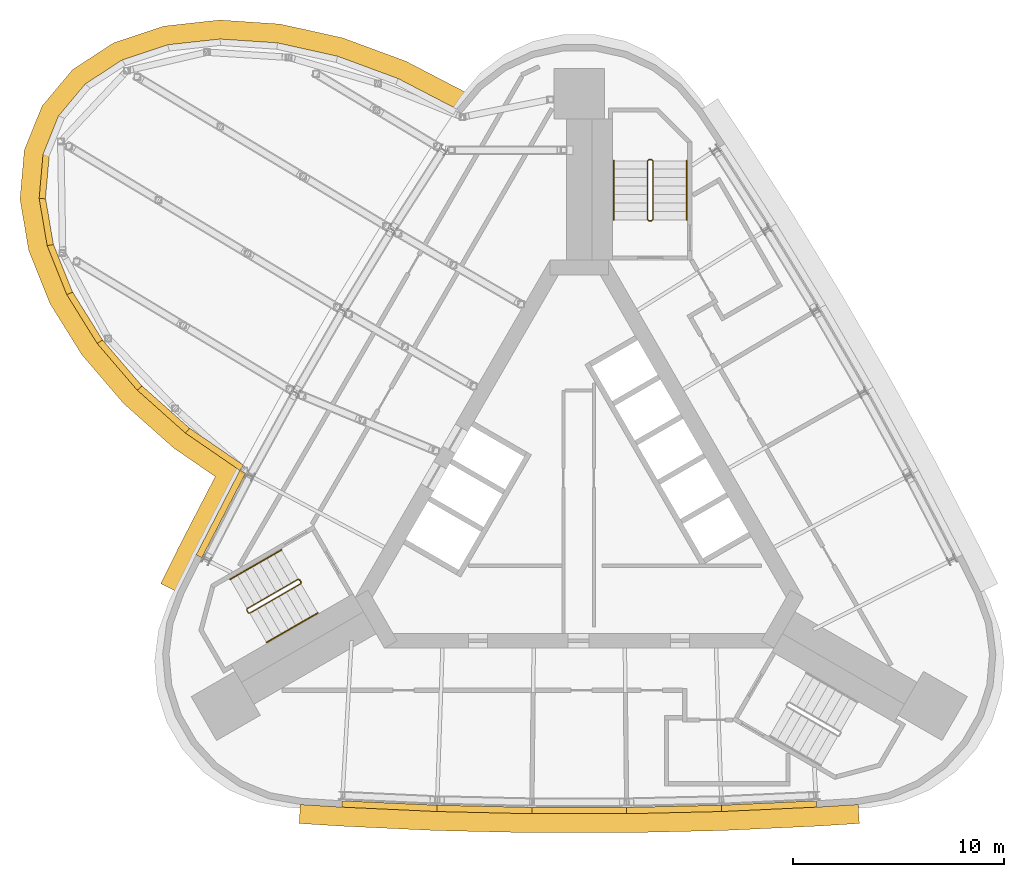
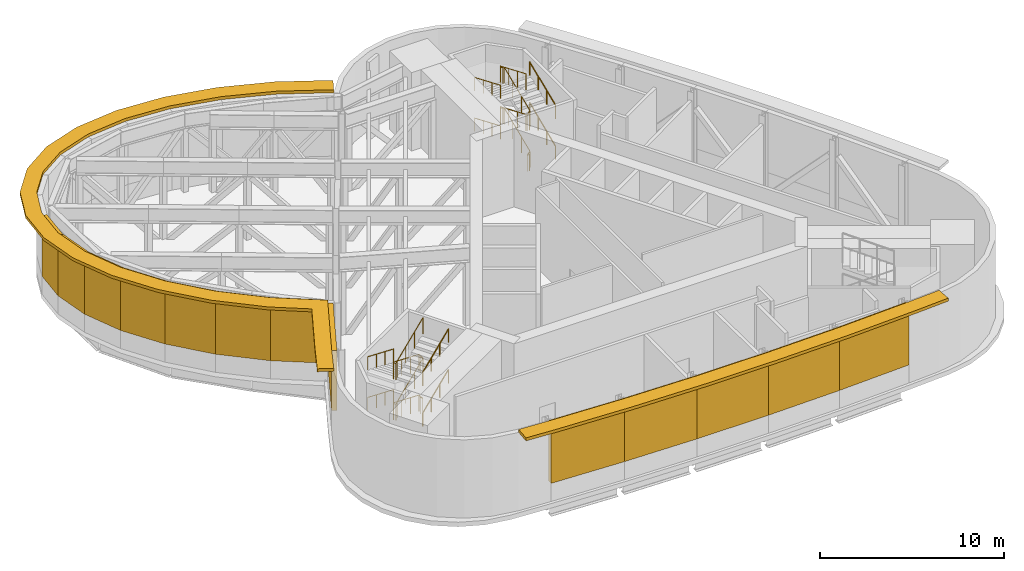
# One storey, part 10 of 11: 15 shading devices, 10 railings.
"""IFC4 building model written with IfcOpenShell, lengths in metres."""

from ifc_helpers import new_model, si_unit, direction, frame, origin, origin_2d, place, context, subcontext, project, spatial, polyline, circle, outline, extrude, material, type_object, element, save


model = new_model("IFC4")

# Units and contexts
model_context = context("Model", 3, precision=1e-05, world=origin(), true_north=direction((0.0, 1.0)))
body_context = subcontext(model_context, "Body", "Model", "MODEL_VIEW")
ifc_project = project(units=[si_unit("LENGTHUNIT", "METRE"), si_unit("AREAUNIT", "SQUARE_METRE"), si_unit("VOLUMEUNIT", "CUBIC_METRE"), si_unit("PLANEANGLEUNIT", "RADIAN"), si_unit("MASSUNIT", "GRAM", prefix="KILO")], contexts=[model_context])

# Site, building, storey
site_placement = place(None, origin())
site = spatial("IfcSite", under=ifc_project, at=site_placement, CompositionType="ELEMENT")
building_placement = place(site_placement, origin())
building = spatial("IfcBuilding", under=site, at=building_placement, Name="Noor Cloister Tower", CompositionType="ELEMENT")
storey_placement = place(building_placement, frame((0.0, 0.0, 258.0)))
storey = spatial("IfcBuildingStorey", under=building, at=storey_placement, Name="L66", CompositionType="ELEMENT", Elevation=258.0)

# Shading devices
ifc_material_1 = material(Name="Aluminium 6063-T6 anodised", Category="aluminium")
shading_device_type_1 = type_object("IfcShadingDeviceType", Name="LOUVRE plant air 40 percent free", PredefinedType="USERDEFINED", material=ifc_material_1)
shading_device_1_placement = place(storey_placement, frame((0.0, 0.0, 1.199951171875)))
element("IfcShadingDevice", 1, at=shading_device_1_placement, inside=storey, type_object=shading_device_type_1, Name="LOUVRE L66 1.10", ObjectType="LOUVRE", PredefinedType="USERDEFINED", context=body_context, shape_type="SweptSolid", body=[
    extrude(outline(polyline([(-25.403076171875, 16.45166015625), (-25.58544921875, 14.377685546875), (-25.28662109375, 14.351318359375), (-25.104248046875, 16.425537109375), (-25.403076171875, 16.45166015625)])), origin(), (0.0, 0.0, 1.0), 4.0),
])
shading_device_2_placement = place(storey_placement, frame((0.0, 0.0, 1.199951171875)))
element("IfcShadingDevice", 2, at=shading_device_2_placement, inside=storey, type_object=shading_device_type_1, Name="LOUVRE L66 1.11", ObjectType="LOUVRE", PredefinedType="USERDEFINED", context=body_context, shape_type="SweptSolid", body=[
    extrude(outline(polyline([(-25.58544921875, 14.377685546875), (-25.205078125, 12.13720703125), (-24.9091796875, 12.1875), (-25.28955078125, 14.427734375), (-25.58544921875, 14.377685546875)])), origin(), (0.0, 0.0, 1.0), 4.0),
])
shading_device_3_placement = place(storey_placement, frame((0.0, 0.0, 1.199951171875)))
element("IfcShadingDevice", 3, at=shading_device_3_placement, inside=storey, type_object=shading_device_type_1, Name="LOUVRE L66 1.12", ObjectType="LOUVRE", PredefinedType="USERDEFINED", context=body_context, shape_type="SweptSolid", body=[
    extrude(outline(polyline([(-25.205078125, 12.13720703125), (-24.276611328125, 9.816650390625), (-23.998046875, 9.927978515625), (-24.926513671875, 12.248779296875), (-25.205078125, 12.13720703125)])), origin(), (0.0, 0.0, 1.0), 4.0),
])
shading_device_4_placement = place(storey_placement, frame((0.0, 0.0, 1.199951171875)))
element("IfcShadingDevice", 4, at=shading_device_4_placement, inside=storey, type_object=shading_device_type_1, Name="LOUVRE L66 1.13", ObjectType="LOUVRE", PredefinedType="USERDEFINED", context=body_context, shape_type="SweptSolid", body=[
    extrude(outline(polyline([(-24.276611328125, 9.816650390625), (-22.8359375, 7.5048828125), (-22.581298828125, 7.66357421875), (-24.02197265625, 9.975341796875), (-24.276611328125, 9.816650390625)])), origin(), (0.0, 0.0, 1.0), 4.0),
])
shading_device_5_placement = place(storey_placement, frame((0.0, 0.0, 1.199951171875)))
element("IfcShadingDevice", 5, at=shading_device_5_placement, inside=storey, type_object=shading_device_type_1, Name="LOUVRE L66 1.14", ObjectType="LOUVRE", PredefinedType="USERDEFINED", context=body_context, shape_type="SweptSolid", body=[
    extrude(outline(polyline([(-22.8359375, 7.5048828125), (-20.938232421875, 5.291015625), (-20.71044921875, 5.486328125), (-22.608154296875, 7.7001953125), (-22.8359375, 7.5048828125)])), origin(), (0.0, 0.0, 1.0), 4.0),
])
shading_device_6_placement = place(storey_placement, frame((0.0, 0.0, 1.199951171875)))
element("IfcShadingDevice", 6, at=shading_device_6_placement, inside=storey, type_object=shading_device_type_1, Name="LOUVRE L66 1.15", ObjectType="LOUVRE", PredefinedType="USERDEFINED", context=body_context, shape_type="SweptSolid", body=[
    extrude(outline(polyline([(-20.938232421875, 5.291015625), (-18.65625, 3.260009765625), (-18.456787109375, 3.484130859375), (-20.73876953125, 5.51513671875), (-20.938232421875, 5.291015625)])), origin(), (0.0, 0.0, 1.0), 4.0),
])
shading_device_7_placement = place(storey_placement, frame((0.0, 0.0, 1.199951171875)))
element("IfcShadingDevice", 7, at=shading_device_7_placement, inside=storey, type_object=shading_device_type_1, Name="LOUVRE L66 1.16", ObjectType="LOUVRE", PredefinedType="USERDEFINED", context=body_context, shape_type="SweptSolid", body=[
    extrude(outline(polyline([(-18.65625, 3.260009765625), (-16.078125, 1.489990234375), (-15.908447265625, 1.7373046875), (-18.486572265625, 3.507568359375), (-18.65625, 3.260009765625)])), origin(), (0.0, 0.0, 1.0), 4.0),
])
shading_device_8_placement = place(storey_placement, frame((0.0, 0.0, 1.199951171875)))
element("IfcShadingDevice", 8, at=shading_device_8_placement, inside=storey, type_object=shading_device_type_1, Name="LOUVRE L66 2.1", ObjectType="LOUVRE", PredefinedType="USERDEFINED", context=body_context, shape_type="SweptSolid", body=[
    extrude(outline(polyline([(-16.078125, 1.489990234375), (-18.14501953125, -2.507080078125), (-17.87841796875, -2.644775390625), (-15.811767578125, 1.352294921875), (-16.078125, 1.489990234375)])), origin(), (0.0, 0.0, 1.0), 4.0),
])
shading_device_9_placement = place(storey_placement, frame((0.0, 0.0, 1.199951171875)))
element("IfcShadingDevice", 9, at=shading_device_9_placement, inside=storey, type_object=shading_device_type_1, Name="LOUVRE L66 3.1", ObjectType="LOUVRE", PredefinedType="USERDEFINED", context=body_context, shape_type="SweptSolid", body=[
    extrude(outline(polyline([(-11.24365234375, -14.46044921875), (-6.74853515625, -14.669189453125), (-6.734619140625, -14.369384765625), (-11.229736328125, -14.160888671875), (-11.24365234375, -14.46044921875)])), origin(), (0.0, 0.0, 1.0), 4.0),
])
shading_device_10_placement = place(storey_placement, frame((0.0, 0.0, 1.199951171875)))
element("IfcShadingDevice", 10, at=shading_device_10_placement, inside=storey, type_object=shading_device_type_1, Name="LOUVRE L66 3.2", ObjectType="LOUVRE", PredefinedType="USERDEFINED", context=body_context, shape_type="SweptSolid", body=[
    extrude(outline(polyline([(-6.74853515625, -14.669189453125), (-2.25, -14.7734375), (-2.242919921875, -14.4736328125), (-6.74169921875, -14.369140625), (-6.74853515625, -14.669189453125)])), origin(), (0.0, 0.0, 1.0), 4.0),
])
shading_device_11_placement = place(storey_placement, frame((0.0, 0.0, 1.199951171875)))
element("IfcShadingDevice", 11, at=shading_device_11_placement, inside=storey, type_object=shading_device_type_1, Name="LOUVRE L66 3.3", ObjectType="LOUVRE", PredefinedType="USERDEFINED", context=body_context, shape_type="SweptSolid", body=[
    extrude(outline(polyline([(-2.25, -14.7734375), (2.25, -14.7734375), (2.25, -14.473388671875), (-2.25, -14.473388671875), (-2.25, -14.7734375)])), origin(), (0.0, 0.0, 1.0), 4.0),
])
shading_device_12_placement = place(storey_placement, frame((0.0, 0.0, 1.199951171875)))
element("IfcShadingDevice", 12, at=shading_device_12_placement, inside=storey, type_object=shading_device_type_1, Name="LOUVRE L66 3.4", ObjectType="LOUVRE", PredefinedType="USERDEFINED", context=body_context, shape_type="SweptSolid", body=[
    extrude(outline(polyline([(2.25, -14.7734375), (6.74853515625, -14.669189453125), (6.74169921875, -14.369140625), (2.242919921875, -14.4736328125), (2.25, -14.7734375)])), origin(), (0.0, 0.0, 1.0), 4.0),
])
shading_device_13_placement = place(storey_placement, frame((0.0, 0.0, 1.199951171875)))
element("IfcShadingDevice", 13, at=shading_device_13_placement, inside=storey, type_object=shading_device_type_1, Name="LOUVRE L66 3.5", ObjectType="LOUVRE", PredefinedType="USERDEFINED", context=body_context, shape_type="SweptSolid", body=[
    extrude(outline(polyline([(6.74853515625, -14.669189453125), (11.24365234375, -14.46044921875), (11.229736328125, -14.160888671875), (6.734619140625, -14.369384765625), (6.74853515625, -14.669189453125)])), origin(), (0.0, 0.0, 1.0), 4.0),
])
ifc_material_2 = material(Name="Limestone", Category="masonry")
shading_device_type_2 = type_object("IfcShadingDeviceType", Name="SUNSHADE limestone band 900", PredefinedType="USERDEFINED", material=ifc_material_2)
shading_device_14_placement = place(storey_placement, frame((0.0, 0.0, 5.199951171875)))
element("IfcShadingDevice", 14, at=shading_device_14_placement, inside=storey, type_object=shading_device_type_2, Name="SUNSHADE L66 1", ObjectType="SUNSHADE", PredefinedType="USERDEFINED", context=body_context, shape_type="SweptSolid", body=[
    extrude(outline(polyline([(-5.39501953125, 19.408447265625), (-8.220703125, 20.87548828125), (-11.197021484375, 21.972900390625), (-14.169677734375, 22.6328125), (-17.03515625, 22.8251953125), (-19.694091796875, 22.532470703125), (-22.050537109375, 21.74609375), (-24.00390625, 20.47216796875), (-25.446533203125, 18.74853515625), (-26.287841796875, 16.664306640625), (-26.491943359375, 14.341064453125), (-26.076171875, 11.89208984375), (-25.08251953125, 9.408203125), (-23.563720703125, 6.970947265625), (-21.58203125, 4.6591796875), (-19.21240234375, 2.55029296875), (-17.242431640625, 1.19775390625), (-18.947998046875, -2.100341796875), (-19.827392578125, -3.873291015625), (-19.021240234375, -4.2734375), (-18.14501953125, -2.507080078125), (-16.078125, 1.489990234375), (-18.65625, 3.260009765625), (-20.938232421875, 5.291015625), (-22.8359375, 7.5048828125), (-24.276611328125, 9.816650390625), (-25.205078125, 12.13720703125), (-25.58544921875, 14.377685546875), (-25.403076171875, 16.45166015625), (-24.6650390625, 18.27978515625), (-23.399658203125, 19.79150390625), (-21.65576171875, 20.928955078125), (-19.500244140625, 21.6484375), (-17.015869140625, 21.921875), (-14.298095703125, 21.7392578125), (-11.451416015625, 21.107421875), (-8.585205078125, 20.05078125), (-5.809814453125, 18.609619140625), (-5.39501953125, 19.408447265625)])), origin(), (0.0, 0.0, 1.0), 0.199951171875),
])
shading_device_15_placement = place(storey_placement, frame((0.0, 0.0, 5.199951171875)))
element("IfcShadingDevice", 15, at=shading_device_15_placement, inside=storey, type_object=shading_device_type_2, Name="SUNSHADE L66 2", ObjectType="SUNSHADE", PredefinedType="USERDEFINED", context=body_context, shape_type="SweptSolid", body=[
    extrude(outline(polyline([(-13.268310546875, -15.234375), (-11.29296875, -15.359130859375), (-6.780029296875, -15.568603515625), (-2.260498046875, -15.673583984375), (2.260498046875, -15.673583984375), (6.780029296875, -15.568603515625), (11.29296875, -15.359130859375), (13.268310546875, -15.234375), (13.21142578125, -14.336181640625), (11.24365234375, -14.46044921875), (6.74853515625, -14.669189453125), (2.25, -14.7734375), (-2.25, -14.7734375), (-6.74853515625, -14.669189453125), (-11.24365234375, -14.46044921875), (-13.21142578125, -14.336181640625), (-13.268310546875, -15.234375)])), origin(), (0.0, 0.0, 1.0), 0.199951171875),
])

# Railings
ifc_material_3 = material(Name="Stainless steel", Category="steel")
railing_type_1 = type_object("IfcRailingType", Name="Stair guard 1100", PredefinedType="GUARDRAIL", material=ifc_material_3)
railing_1_placement = place(storey_placement, frame((3.435546875, 13.306396484375, 0.0)))
element("IfcRailing", 16, at=railing_1_placement, inside=storey, type_object=railing_type_1, Name="Stair guard ST1 L66", PredefinedType="GUARDRAIL", context=body_context, shape_type="SweptSolid", body=[
    extrude(circle(Radius=0.02392578125, at=origin_2d()), frame((0.0, 0.0, 1.076171875), z_axis=(-1.0, 0.0, 0.0), x_axis=(0.0, -1.0, 0.0)), (0.0, 0.0, 1.0), 0.14990234375),
    extrude(circle(Radius=0.02392578125, at=origin_2d()), frame((-0.14990234375, 0.0, 1.076171875), z_axis=(0.750691857518, 0.187902113298, 0.633367611166), x_axis=(-0.242814311512, 0.970072785993, 0.0)), (0.0, 0.0, 1.0), 0.266357421875),
    extrude(circle(Radius=0.02392578125, at=origin_2d()), frame((0.050048828125, 0.050048828125, 1.24462890625), z_axis=(0.0, 0.921349325574, 0.388735668886), x_axis=(-1.0, 0.0, 0.0)), (0.0, 0.0, 1.0), 3.0390625),
    extrude(circle(Radius=0.02392578125, at=origin_2d()), frame((0.050048828125, 2.85009765625, 2.42626953125), z_axis=(-0.708833529934, 0.705375805398, 0.0), x_axis=(-0.705375805398, -0.708833529934, 0.0)), (0.0, 0.0, 1.0), 0.070556640625),
    extrude(circle(Radius=0.02392578125, at=origin_2d()), frame((0.0, 2.89990234375, 2.42626953125), z_axis=(-1.0, 0.0, 0.0), x_axis=(0.0, -1.0, 0.0)), (0.0, 0.0, 1.0), 0.14990234375),
    extrude(circle(Radius=0.02392578125, at=origin_2d()), frame((-0.14990234375, 2.89990234375, 2.42626953125), z_axis=(-0.273668752699, -0.272333783174, 0.922463942026), x_axis=(0.705375805398, -0.708833529934, 0.0)), (0.0, 0.0, 1.0), 0.182861328125),
    extrude(circle(Radius=0.02392578125, at=origin_2d()), frame((-0.199951171875, 2.85009765625, 2.5947265625), z_axis=(0.0, -0.921378096441, 0.388667471495), x_axis=(1.0, 0.0, 0.0)), (0.0, 0.0, 1.0), 3.0390625),
    extrude(circle(Radius=0.02392578125, at=origin_2d()), frame((-0.199951171875, 0.050048828125, 3.77587890625), z_axis=(0.970072785993, -0.242814311512, 0.0), x_axis=(0.242814311512, 0.970072785993, 0.0)), (0.0, 0.0, 1.0), 0.2060546875),
    extrude(circle(Radius=0.02392578125, at=origin_2d()), frame((0.0, 0.0, 3.77587890625), z_axis=(-1.0, 0.0, 0.0), x_axis=(0.0, -1.0, 0.0)), (0.0, 0.0, 1.0), 0.14990234375),
    extrude(circle(Radius=0.02392578125, at=origin_2d()), frame((-0.14990234375, 0.0, 3.77587890625), z_axis=(0.750691857518, 0.187902113298, 0.633367611166), x_axis=(-0.242814311512, 0.970072785993, 0.0)), (0.0, 0.0, 1.0), 0.266357421875),
    extrude(circle(Radius=0.02392578125, at=origin_2d()), frame((0.050048828125, 0.050048828125, 3.94482421875), z_axis=(0.0, 0.921349325574, 0.388735668886), x_axis=(-1.0, 0.0, 0.0)), (0.0, 0.0, 1.0), 3.0390625),
    extrude(circle(Radius=0.02392578125, at=origin_2d()), frame((0.050048828125, 2.85009765625, 5.1259765625), z_axis=(-0.708833529934, 0.705375805398, 0.0), x_axis=(-0.705375805398, -0.708833529934, 0.0)), (0.0, 0.0, 1.0), 0.070556640625),
    extrude(circle(Radius=0.02392578125, at=origin_2d()), frame((0.0, 2.89990234375, 5.1259765625), z_axis=(-1.0, 0.0, 0.0), x_axis=(0.0, -1.0, 0.0)), (0.0, 0.0, 1.0), 0.14990234375),
    extrude(circle(Radius=0.02392578125, at=origin_2d()), frame((-0.14990234375, 2.89990234375, 5.1259765625), z_axis=(-0.273668752699, -0.272333783174, 0.922463942026), x_axis=(0.705375805398, -0.708833529934, 0.0)), (0.0, 0.0, 1.0), 0.182861328125),
    extrude(circle(Radius=0.02392578125, at=origin_2d()), frame((-0.199951171875, 2.85009765625, 5.294921875), z_axis=(0.0, -0.921378096441, 0.388667471495), x_axis=(1.0, 0.0, 0.0)), (0.0, 0.0, 1.0), 3.0390625),
    extrude(circle(Radius=0.02099609375, at=origin_2d()), origin(), (0.0, 0.0, 1.0), 1.052001953125),
    extrude(circle(Radius=0.02099609375, at=origin_2d()), frame((-0.14990234375, 0.0, 0.0)), (0.0, 0.0, 1.0), 1.052001953125),
    extrude(circle(Radius=0.02099609375, at=origin_2d()), frame((0.050048828125, 0.050048828125, 0.168701171875)), (0.0, 0.0, 1.0), 1.052001953125),
    extrude(circle(Radius=0.02099609375, at=origin_2d()), frame((0.050048828125, 0.9833984375, 0.5625)), (0.0, 0.0, 1.0), 1.052001953125),
    extrude(circle(Radius=0.02099609375, at=origin_2d()), frame((0.050048828125, 1.916748046875, 0.956298828125)), (0.0, 0.0, 1.0), 1.052001953125),
    extrude(circle(Radius=0.02099609375, at=origin_2d()), frame((0.050048828125, 2.85009765625, 1.35009765625)), (0.0, 0.0, 1.0), 1.052001953125),
    extrude(circle(Radius=0.02099609375, at=origin_2d()), frame((0.0, 2.89990234375, 1.35009765625)), (0.0, 0.0, 1.0), 1.052001953125),
    extrude(circle(Radius=0.02099609375, at=origin_2d()), frame((-0.14990234375, 2.89990234375, 1.35009765625)), (0.0, 0.0, 1.0), 1.052001953125),
    extrude(circle(Radius=0.02099609375, at=origin_2d()), frame((-0.199951171875, 2.85009765625, 1.518798828125)), (0.0, 0.0, 1.0), 1.052001953125),
    extrude(circle(Radius=0.02099609375, at=origin_2d()), frame((-0.199951171875, 1.916748046875, 1.91259765625)), (0.0, 0.0, 1.0), 1.052001953125),
    extrude(circle(Radius=0.02099609375, at=origin_2d()), frame((-0.199951171875, 0.9833984375, 2.30615234375)), (0.0, 0.0, 1.0), 1.052001953125),
    extrude(circle(Radius=0.02099609375, at=origin_2d()), frame((-0.199951171875, 0.050048828125, 2.699951171875)), (0.0, 0.0, 1.0), 1.052001953125),
    extrude(circle(Radius=0.02099609375, at=origin_2d()), frame((0.0, 0.0, 2.699951171875)), (0.0, 0.0, 1.0), 1.052001953125),
    extrude(circle(Radius=0.02099609375, at=origin_2d()), frame((-0.14990234375, 0.0, 2.699951171875)), (0.0, 0.0, 1.0), 1.052001953125),
    extrude(circle(Radius=0.02099609375, at=origin_2d()), frame((0.050048828125, 0.050048828125, 2.86865234375)), (0.0, 0.0, 1.0), 1.052001953125),
    extrude(circle(Radius=0.02099609375, at=origin_2d()), frame((0.050048828125, 0.9833984375, 3.262451171875)), (0.0, 0.0, 1.0), 1.052001953125),
    extrude(circle(Radius=0.02099609375, at=origin_2d()), frame((0.050048828125, 1.916748046875, 3.65625)), (0.0, 0.0, 1.0), 1.052001953125),
    extrude(circle(Radius=0.02099609375, at=origin_2d()), frame((0.050048828125, 2.85009765625, 4.050048828125)), (0.0, 0.0, 1.0), 1.052001953125),
    extrude(circle(Radius=0.02099609375, at=origin_2d()), frame((0.0, 2.89990234375, 4.050048828125)), (0.0, 0.0, 1.0), 1.052001953125),
    extrude(circle(Radius=0.02099609375, at=origin_2d()), frame((-0.14990234375, 2.89990234375, 4.050048828125)), (0.0, 0.0, 1.0), 1.052001953125),
    extrude(circle(Radius=0.02099609375, at=origin_2d()), frame((-0.199951171875, 2.85009765625, 4.21875)), (0.0, 0.0, 1.0), 1.052001953125),
    extrude(circle(Radius=0.02099609375, at=origin_2d()), frame((-0.199951171875, 1.916748046875, 4.612548828125)), (0.0, 0.0, 1.0), 1.052001953125),
    extrude(circle(Radius=0.02099609375, at=origin_2d()), frame((-0.199951171875, 0.9833984375, 5.006103515625)), (0.0, 0.0, 1.0), 1.052001953125),
    extrude(circle(Radius=0.02099609375, at=origin_2d()), frame((-0.199951171875, 0.050048828125, 5.39990234375)), (0.0, 0.0, 1.0), 1.052001953125),
])
railing_2_placement = place(storey_placement, frame((-13.241455078125, -3.677734375, 0.0)))
element("IfcRailing", 17, at=railing_2_placement, inside=storey, type_object=railing_type_1, Name="Stair guard ST2 L66", PredefinedType="GUARDRAIL", context=body_context, shape_type="SweptSolid", body=[
    extrude(circle(Radius=0.02392578125, at=origin_2d()), frame((0.0, 0.0, 1.076171875), z_axis=(0.499112439033, -0.866537231285, 0.0), x_axis=(0.866537231285, 0.499112439033, 0.0)), (0.0, 0.0, 1.0), 0.150146484375),
    extrude(circle(Radius=0.02392578125, at=origin_2d()), frame((0.074951171875, -0.130126953125, 1.076171875), z_axis=(-0.537989232676, 0.556319359854, 0.633305894001), x_axis=(-0.718850276695, -0.695164929852, 0.0)), (0.0, 0.0, 1.0), 0.266357421875),
    extrude(circle(Radius=0.02392578125, at=origin_2d()), frame((-0.068359375, 0.01806640625, 1.24462890625), z_axis=(-0.797913686838, -0.460656169989, 0.388753959989), x_axis=(0.49998411664, -0.866034573852, 0.0)), (0.0, 0.0, 1.0), 3.038818359375),
    extrude(circle(Radius=0.02392578125, at=origin_2d()), frame((-2.4931640625, -1.3818359375, 2.42626953125), z_axis=(-0.258736085224, -0.965948051503, 0.0), x_axis=(0.965948051503, -0.258736085224, 0.0)), (0.0, 0.0, 1.0), 0.07080078125),
    extrude(circle(Radius=0.02392578125, at=origin_2d()), frame((-2.511474609375, -1.4501953125, 2.42626953125), z_axis=(0.499816412211, -0.866131372301, 0.0), x_axis=(0.866131372301, 0.499816412211, 0.0)), (0.0, 0.0, 1.0), 0.14990234375),
    extrude(circle(Radius=0.02392578125, at=origin_2d()), frame((-2.4365234375, -1.580078125, 2.42626953125), z_axis=(0.373663631894, -0.100088472829, 0.922148462996), x_axis=(0.258736085224, 0.965948051503, 0.0)), (0.0, 0.0, 1.0), 0.182861328125),
    extrude(circle(Radius=0.02392578125, at=origin_2d()), frame((-2.3681640625, -1.598388671875, 2.5947265625), z_axis=(0.797909072615, 0.460733843279, 0.388671374679), x_axis=(-0.500049511043, 0.865996816683, 0.0)), (0.0, 0.0, 1.0), 3.0390625),
    extrude(circle(Radius=0.02392578125, at=origin_2d()), frame((0.056640625, -0.1982421875, 3.77587890625), z_axis=(-0.274721127897, 0.961523947641, 0.0), x_axis=(-0.961523947641, -0.274721127897, 0.0)), (0.0, 0.0, 1.0), 0.2060546875),
    extrude(circle(Radius=0.02392578125, at=origin_2d()), frame((0.0, 0.0, 3.77587890625), z_axis=(0.499112439033, -0.866537231285, 0.0), x_axis=(0.866537231285, 0.499112439033, 0.0)), (0.0, 0.0, 1.0), 0.150146484375),
    extrude(circle(Radius=0.02392578125, at=origin_2d()), frame((0.074951171875, -0.130126953125, 3.77587890625), z_axis=(-0.537989232676, 0.556319359854, 0.633305894001), x_axis=(-0.718850276695, -0.695164929852, 0.0)), (0.0, 0.0, 1.0), 0.266357421875),
    extrude(circle(Radius=0.02392578125, at=origin_2d()), frame((-0.068359375, 0.01806640625, 3.94482421875), z_axis=(-0.797913686838, -0.460656169989, 0.388753959989), x_axis=(0.49998411664, -0.866034573852, 0.0)), (0.0, 0.0, 1.0), 3.038818359375),
    extrude(circle(Radius=0.02392578125, at=origin_2d()), frame((-2.4931640625, -1.3818359375, 5.1259765625), z_axis=(-0.258736085224, -0.965948051503, 0.0), x_axis=(0.965948051503, -0.258736085224, 0.0)), (0.0, 0.0, 1.0), 0.07080078125),
    extrude(circle(Radius=0.02392578125, at=origin_2d()), frame((-2.511474609375, -1.4501953125, 5.1259765625), z_axis=(0.499816412211, -0.866131372301, 0.0), x_axis=(0.866131372301, 0.499816412211, 0.0)), (0.0, 0.0, 1.0), 0.14990234375),
    extrude(circle(Radius=0.02392578125, at=origin_2d()), frame((-2.4365234375, -1.580078125, 5.1259765625), z_axis=(0.373663631894, -0.100088472829, 0.922148462996), x_axis=(0.258736085224, 0.965948051503, 0.0)), (0.0, 0.0, 1.0), 0.182861328125),
    extrude(circle(Radius=0.02392578125, at=origin_2d()), frame((-2.3681640625, -1.598388671875, 5.294921875), z_axis=(0.797909072615, 0.460733843279, 0.388671374679), x_axis=(-0.500049511043, 0.865996816683, 0.0)), (0.0, 0.0, 1.0), 3.0390625),
    extrude(circle(Radius=0.02099609375, at=origin_2d()), origin(), (0.0, 0.0, 1.0), 1.052001953125),
    extrude(circle(Radius=0.02099609375, at=origin_2d()), frame((0.074951171875, -0.130126953125, 0.0)), (0.0, 0.0, 1.0), 1.052001953125),
    extrude(circle(Radius=0.02099609375, at=origin_2d()), frame((-0.068359375, 0.01806640625, 0.168701171875)), (0.0, 0.0, 1.0), 1.052001953125),
    extrude(circle(Radius=0.02099609375, at=origin_2d()), frame((-0.876708984375, -0.448486328125, 0.5625)), (0.0, 0.0, 1.0), 1.052001953125),
    extrude(circle(Radius=0.02099609375, at=origin_2d()), frame((-1.684814453125, -0.915283203125, 0.956298828125)), (0.0, 0.0, 1.0), 1.052001953125),
    extrude(circle(Radius=0.02099609375, at=origin_2d()), frame((-2.4931640625, -1.3818359375, 1.35009765625)), (0.0, 0.0, 1.0), 1.052001953125),
    extrude(circle(Radius=0.02099609375, at=origin_2d()), frame((-2.511474609375, -1.4501953125, 1.35009765625)), (0.0, 0.0, 1.0), 1.052001953125),
    extrude(circle(Radius=0.02099609375, at=origin_2d()), frame((-2.4365234375, -1.580078125, 1.35009765625)), (0.0, 0.0, 1.0), 1.052001953125),
    extrude(circle(Radius=0.02099609375, at=origin_2d()), frame((-2.3681640625, -1.598388671875, 1.518798828125)), (0.0, 0.0, 1.0), 1.052001953125),
    extrude(circle(Radius=0.02099609375, at=origin_2d()), frame((-1.559814453125, -1.131591796875, 1.91259765625)), (0.0, 0.0, 1.0), 1.052001953125),
    extrude(circle(Radius=0.02099609375, at=origin_2d()), frame((-0.751708984375, -0.6650390625, 2.30615234375)), (0.0, 0.0, 1.0), 1.052001953125),
    extrude(circle(Radius=0.02099609375, at=origin_2d()), frame((0.056640625, -0.1982421875, 2.699951171875)), (0.0, 0.0, 1.0), 1.052001953125),
    extrude(circle(Radius=0.02099609375, at=origin_2d()), frame((0.0, 0.0, 2.699951171875)), (0.0, 0.0, 1.0), 1.052001953125),
    extrude(circle(Radius=0.02099609375, at=origin_2d()), frame((0.074951171875, -0.130126953125, 2.699951171875)), (0.0, 0.0, 1.0), 1.052001953125),
    extrude(circle(Radius=0.02099609375, at=origin_2d()), frame((-0.068359375, 0.01806640625, 2.86865234375)), (0.0, 0.0, 1.0), 1.052001953125),
    extrude(circle(Radius=0.02099609375, at=origin_2d()), frame((-0.876708984375, -0.448486328125, 3.262451171875)), (0.0, 0.0, 1.0), 1.052001953125),
    extrude(circle(Radius=0.02099609375, at=origin_2d()), frame((-1.684814453125, -0.915283203125, 3.65625)), (0.0, 0.0, 1.0), 1.052001953125),
    extrude(circle(Radius=0.02099609375, at=origin_2d()), frame((-2.4931640625, -1.3818359375, 4.050048828125)), (0.0, 0.0, 1.0), 1.052001953125),
    extrude(circle(Radius=0.02099609375, at=origin_2d()), frame((-2.511474609375, -1.4501953125, 4.050048828125)), (0.0, 0.0, 1.0), 1.052001953125),
    extrude(circle(Radius=0.02099609375, at=origin_2d()), frame((-2.4365234375, -1.580078125, 4.050048828125)), (0.0, 0.0, 1.0), 1.052001953125),
    extrude(circle(Radius=0.02099609375, at=origin_2d()), frame((-2.3681640625, -1.598388671875, 4.21875)), (0.0, 0.0, 1.0), 1.052001953125),
    extrude(circle(Radius=0.02099609375, at=origin_2d()), frame((-1.559814453125, -1.131591796875, 4.612548828125)), (0.0, 0.0, 1.0), 1.052001953125),
    extrude(circle(Radius=0.02099609375, at=origin_2d()), frame((-0.751708984375, -0.6650390625, 5.006103515625)), (0.0, 0.0, 1.0), 1.052001953125),
    extrude(circle(Radius=0.02099609375, at=origin_2d()), frame((0.056640625, -0.1982421875, 5.39990234375)), (0.0, 0.0, 1.0), 1.052001953125),
])
ifc_material_4 = material(Name="Stainless steel", Category="steel")
railing_type_2 = type_object("IfcRailingType", Name="Stair handrail 900", PredefinedType="HANDRAIL", material=ifc_material_4)
railing_3_placement = place(storey_placement, frame((5.085693359375, 13.3564453125, 0.168701171875)))
element("IfcRailing", 18, at=railing_3_placement, inside=storey, type_object=railing_type_2, Name="Stair handrail ST1 L66 1", PredefinedType="HANDRAIL", context=body_context, shape_type="SweptSolid", body=[
    extrude(circle(Radius=0.02392578125, at=origin_2d()), frame((0.0, 0.0, 0.8759765625), z_axis=(0.0, 0.921349325574, 0.388735668886), x_axis=(-1.0, 0.0, 0.0)), (0.0, 0.0, 1.0), 3.0390625),
    extrude(circle(Radius=0.02099609375, at=origin_2d()), origin(), (0.0, 0.0, 1.0), 0.851806640625),
    extrude(circle(Radius=0.02099609375, at=origin_2d()), frame((0.0, 0.933349609375, 0.393798828125)), (0.0, 0.0, 1.0), 0.851806640625),
    extrude(circle(Radius=0.02099609375, at=origin_2d()), frame((0.0, 1.86669921875, 0.78759765625)), (0.0, 0.0, 1.0), 0.851806640625),
    extrude(circle(Radius=0.02099609375, at=origin_2d()), frame((0.0, 2.800048828125, 1.181396484375)), (0.0, 0.0, 1.0), 0.851806640625),
])
railing_4_placement = place(storey_placement, frame((1.6357421875, 16.156494140625, 1.518798828125)))
element("IfcRailing", 19, at=railing_4_placement, inside=storey, type_object=railing_type_2, Name="Stair handrail ST1 L66 2", PredefinedType="HANDRAIL", context=body_context, shape_type="SweptSolid", body=[
    extrude(circle(Radius=0.02392578125, at=origin_2d()), frame((0.0, 0.0, 0.8759765625), z_axis=(0.0, -0.921378096441, 0.388667471495), x_axis=(1.0, 0.0, 0.0)), (0.0, 0.0, 1.0), 3.0390625),
    extrude(circle(Radius=0.02099609375, at=origin_2d()), origin(), (0.0, 0.0, 1.0), 0.851806640625),
    extrude(circle(Radius=0.02099609375, at=origin_2d()), frame((0.0, -0.933349609375, 0.393798828125)), (0.0, 0.0, 1.0), 0.851806640625),
    extrude(circle(Radius=0.02099609375, at=origin_2d()), frame((0.0, -1.86669921875, 0.787353515625)), (0.0, 0.0, 1.0), 0.851806640625),
    extrude(circle(Radius=0.02099609375, at=origin_2d()), frame((0.0, -2.800048828125, 1.18115234375)), (0.0, 0.0, 1.0), 0.851806640625),
])
railing_5_placement = place(storey_placement, frame((5.085693359375, 13.3564453125, 2.86865234375)))
element("IfcRailing", 20, at=railing_5_placement, inside=storey, type_object=railing_type_2, Name="Stair handrail ST1 L66 3", PredefinedType="HANDRAIL", context=body_context, shape_type="SweptSolid", body=[
    extrude(circle(Radius=0.02392578125, at=origin_2d()), frame((0.0, 0.0, 0.8759765625), z_axis=(0.0, 0.921349325574, 0.388735668886), x_axis=(-1.0, 0.0, 0.0)), (0.0, 0.0, 1.0), 3.0390625),
    extrude(circle(Radius=0.02099609375, at=origin_2d()), origin(), (0.0, 0.0, 1.0), 0.851806640625),
    extrude(circle(Radius=0.02099609375, at=origin_2d()), frame((0.0, 0.933349609375, 0.393798828125)), (0.0, 0.0, 1.0), 0.851806640625),
    extrude(circle(Radius=0.02099609375, at=origin_2d()), frame((0.0, 1.86669921875, 0.78759765625)), (0.0, 0.0, 1.0), 0.851806640625),
    extrude(circle(Radius=0.02099609375, at=origin_2d()), frame((0.0, 2.800048828125, 1.181396484375)), (0.0, 0.0, 1.0), 0.851806640625),
])
railing_6_placement = place(storey_placement, frame((1.6357421875, 16.156494140625, 4.21875)))
element("IfcRailing", 21, at=railing_6_placement, inside=storey, type_object=railing_type_2, Name="Stair handrail ST1 L66 4", PredefinedType="HANDRAIL", context=body_context, shape_type="SweptSolid", body=[
    extrude(circle(Radius=0.02392578125, at=origin_2d()), frame((0.0, 0.0, 0.8759765625), z_axis=(0.0, -0.921378096441, 0.388667471495), x_axis=(1.0, 0.0, 0.0)), (0.0, 0.0, 1.0), 3.0390625),
    extrude(circle(Radius=0.02099609375, at=origin_2d()), origin(), (0.0, 0.0, 1.0), 0.851806640625),
    extrude(circle(Radius=0.02099609375, at=origin_2d()), frame((0.0, -0.933349609375, 0.393798828125)), (0.0, 0.0, 1.0), 0.851806640625),
    extrude(circle(Radius=0.02099609375, at=origin_2d()), frame((0.0, -1.86669921875, 0.787353515625)), (0.0, 0.0, 1.0), 0.851806640625),
    extrude(circle(Radius=0.02099609375, at=origin_2d()), frame((0.0, -2.800048828125, 1.18115234375)), (0.0, 0.0, 1.0), 0.851806640625),
])
railing_7_placement = place(storey_placement, frame((-14.10986328125, -2.27392578125, 0.168701171875)))
element("IfcRailing", 22, at=railing_7_placement, inside=storey, type_object=railing_type_2, Name="Stair handrail ST2 L66 1", PredefinedType="HANDRAIL", context=body_context, shape_type="SweptSolid", body=[
    extrude(circle(Radius=0.02392578125, at=origin_2d()), frame((0.0, 0.0, 0.8759765625), z_axis=(-0.797913686838, -0.460656169989, 0.388753959989), x_axis=(0.49998411664, -0.866034573852, 0.0)), (0.0, 0.0, 1.0), 3.038818359375),
    extrude(circle(Radius=0.02099609375, at=origin_2d()), origin(), (0.0, 0.0, 1.0), 0.851806640625),
    extrude(circle(Radius=0.02099609375, at=origin_2d()), frame((-0.808349609375, -0.466552734375, 0.393798828125)), (0.0, 0.0, 1.0), 0.851806640625),
    extrude(circle(Radius=0.02099609375, at=origin_2d()), frame((-1.616455078125, -0.933349609375, 0.78759765625)), (0.0, 0.0, 1.0), 0.851806640625),
    extrude(circle(Radius=0.02099609375, at=origin_2d()), frame((-2.4248046875, -1.39990234375, 1.181396484375)), (0.0, 0.0, 1.0), 0.851806640625),
])
railing_8_placement = place(storey_placement, frame((-14.8095703125, -6.66162109375, 1.518798828125)))
element("IfcRailing", 23, at=railing_8_placement, inside=storey, type_object=railing_type_2, Name="Stair handrail ST2 L66 2", PredefinedType="HANDRAIL", context=body_context, shape_type="SweptSolid", body=[
    extrude(circle(Radius=0.02392578125, at=origin_2d()), frame((0.0, 0.0, 0.8759765625), z_axis=(0.79793860554, 0.460670556199, 0.388685760532), x_axis=(-0.49998411664, 0.866034573852, 0.0)), (0.0, 0.0, 1.0), 3.038818359375),
    extrude(circle(Radius=0.02099609375, at=origin_2d()), origin(), (0.0, 0.0, 1.0), 0.851806640625),
    extrude(circle(Radius=0.02099609375, at=origin_2d()), frame((0.808349609375, 0.466552734375, 0.393798828125)), (0.0, 0.0, 1.0), 0.851806640625),
    extrude(circle(Radius=0.02099609375, at=origin_2d()), frame((1.616455078125, 0.933349609375, 0.787353515625)), (0.0, 0.0, 1.0), 0.851806640625),
    extrude(circle(Radius=0.02099609375, at=origin_2d()), frame((2.4248046875, 1.39990234375, 1.18115234375)), (0.0, 0.0, 1.0), 0.851806640625),
])
railing_9_placement = place(storey_placement, frame((-14.10986328125, -2.27392578125, 2.86865234375)))
element("IfcRailing", 24, at=railing_9_placement, inside=storey, type_object=railing_type_2, Name="Stair handrail ST2 L66 3", PredefinedType="HANDRAIL", context=body_context, shape_type="SweptSolid", body=[
    extrude(circle(Radius=0.02392578125, at=origin_2d()), frame((0.0, 0.0, 0.8759765625), z_axis=(-0.797913686838, -0.460656169989, 0.388753959989), x_axis=(0.49998411664, -0.866034573852, 0.0)), (0.0, 0.0, 1.0), 3.038818359375),
    extrude(circle(Radius=0.02099609375, at=origin_2d()), origin(), (0.0, 0.0, 1.0), 0.851806640625),
    extrude(circle(Radius=0.02099609375, at=origin_2d()), frame((-0.808349609375, -0.466552734375, 0.393798828125)), (0.0, 0.0, 1.0), 0.851806640625),
    extrude(circle(Radius=0.02099609375, at=origin_2d()), frame((-1.616455078125, -0.933349609375, 0.78759765625)), (0.0, 0.0, 1.0), 0.851806640625),
    extrude(circle(Radius=0.02099609375, at=origin_2d()), frame((-2.4248046875, -1.39990234375, 1.181396484375)), (0.0, 0.0, 1.0), 0.851806640625),
])
railing_10_placement = place(storey_placement, frame((-14.8095703125, -6.66162109375, 4.21875)))
element("IfcRailing", 25, at=railing_10_placement, inside=storey, type_object=railing_type_2, Name="Stair handrail ST2 L66 4", PredefinedType="HANDRAIL", context=body_context, shape_type="SweptSolid", body=[
    extrude(circle(Radius=0.02392578125, at=origin_2d()), frame((0.0, 0.0, 0.8759765625), z_axis=(0.79793860554, 0.460670556199, 0.388685760532), x_axis=(-0.49998411664, 0.866034573852, 0.0)), (0.0, 0.0, 1.0), 3.038818359375),
    extrude(circle(Radius=0.02099609375, at=origin_2d()), origin(), (0.0, 0.0, 1.0), 0.851806640625),
    extrude(circle(Radius=0.02099609375, at=origin_2d()), frame((0.808349609375, 0.466552734375, 0.393798828125)), (0.0, 0.0, 1.0), 0.851806640625),
    extrude(circle(Radius=0.02099609375, at=origin_2d()), frame((1.616455078125, 0.933349609375, 0.787353515625)), (0.0, 0.0, 1.0), 0.851806640625),
    extrude(circle(Radius=0.02099609375, at=origin_2d()), frame((2.4248046875, 1.39990234375, 1.18115234375)), (0.0, 0.0, 1.0), 0.851806640625),
])

save(model, "model.ifc")
